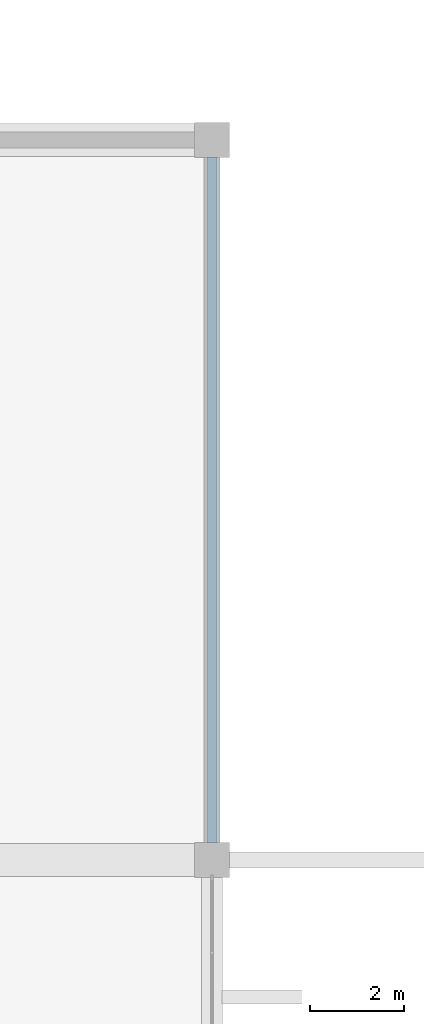
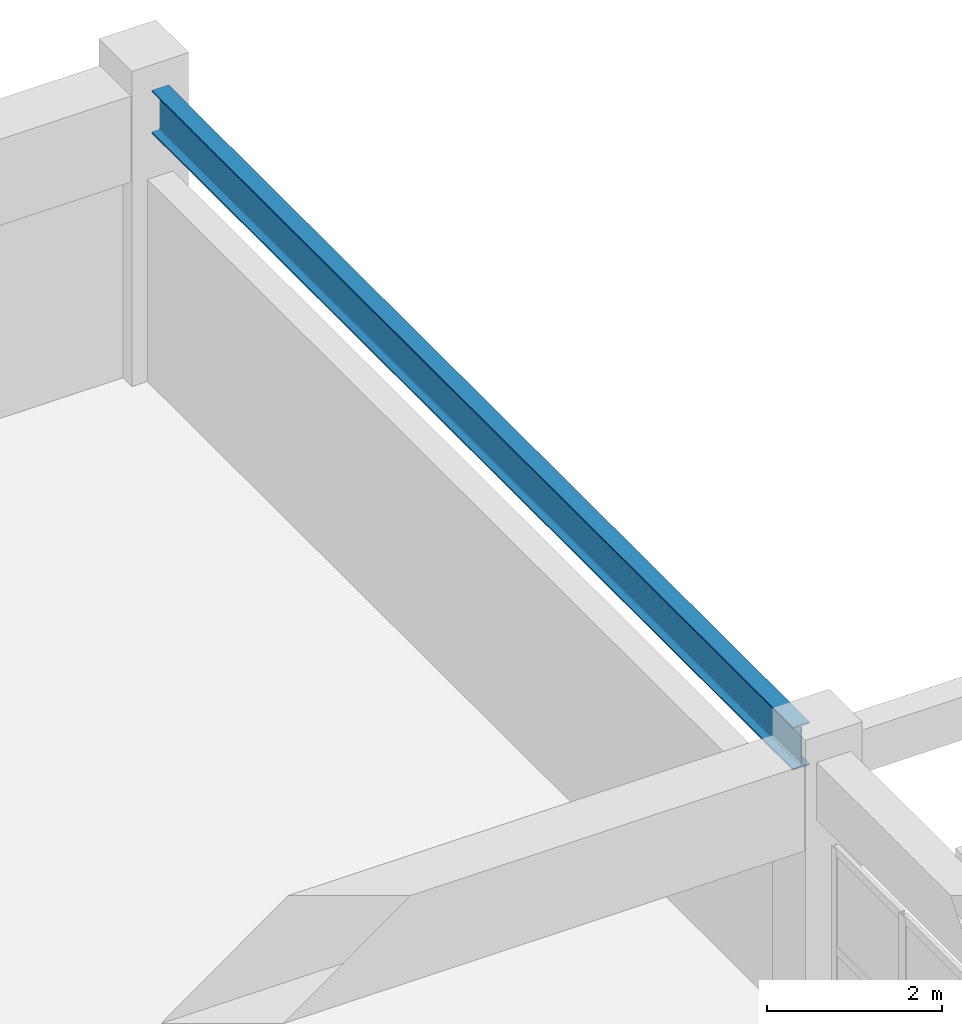
# One storey, part 84 of 116: 1 beam.
"""IFC4 building model written with IfcOpenShell, lengths in metres."""

from ifc_helpers import new_model, si_unit, direction, frame, origin, origin_2d, place, context, subcontext, project, spatial, i_section, extrude, material, material_profile, profile_set, type_object, element, save


model = new_model("IFC4")

# Units and contexts
model_context = context("Model", 3, precision=1e-05, world=origin(), true_north=direction((0.0, 1.0)))
body_context = subcontext(model_context, "Body", "Model", "MODEL_VIEW")
ifc_project = project(units=[si_unit("LENGTHUNIT", "METRE"), si_unit("AREAUNIT", "SQUARE_METRE"), si_unit("VOLUMEUNIT", "CUBIC_METRE"), si_unit("PLANEANGLEUNIT", "RADIAN"), si_unit("MASSUNIT", "GRAM", prefix="KILO")], contexts=[model_context])

# Site, building, storey
site_placement = place(None, origin())
site = spatial("IfcSite", under=ifc_project, at=site_placement, CompositionType="ELEMENT")
building_placement = place(site_placement, origin())
building = spatial("IfcBuilding", under=site, at=building_placement, Name="Muzn Square Opera House", CompositionType="ELEMENT")
storey_placement = place(building_placement, frame((0.0, 0.0, 5.39990234375)))
storey = spatial("IfcBuildingStorey", under=building, at=storey_placement, Name="L01", CompositionType="ELEMENT", Elevation=5.39990234375)

# Beam
ifc_material = material(Name="Steel S355", Category="steel")
ifc_material_profile = material_profile(ifc_material, i_section(OverallWidth=0.219970703125, OverallDepth=0.60009765625, WebThickness=0.011962890625, FlangeThickness=0.01904296875, FilletRadius=0.02392578125, at=origin_2d()), Name="IPE 600", Category="steel")
ifc_profile_set = profile_set([ifc_material_profile], Name="Steel S355")
beam_type = type_object("IfcBeamType", Name="Stage Gallery Beam IPE600", PredefinedType="BEAM", material=ifc_profile_set)
beam_placement = place(storey_placement, frame((170.0, 98.967041015625, 3.739990234375), z_axis=(0.0, 1.0, 0.0), x_axis=(-1.0, 0.0, 0.0)))
element("IfcBeam", 1, at=beam_placement, inside=storey, type_object=beam_type, Name="Primary Girder BM-N114-L01-014", PredefinedType="BEAM", context=body_context, shape_type="SweptSolid", body=[
    extrude(i_section(OverallWidth=0.219970703125, OverallDepth=0.60009765625, WebThickness=0.011962890625, FlangeThickness=0.01904296875, FilletRadius=0.02392578125, at=origin_2d()), origin(), (0.0, 0.0, 1.0), 14.666015625),
])

save(model, "model.ifc")
